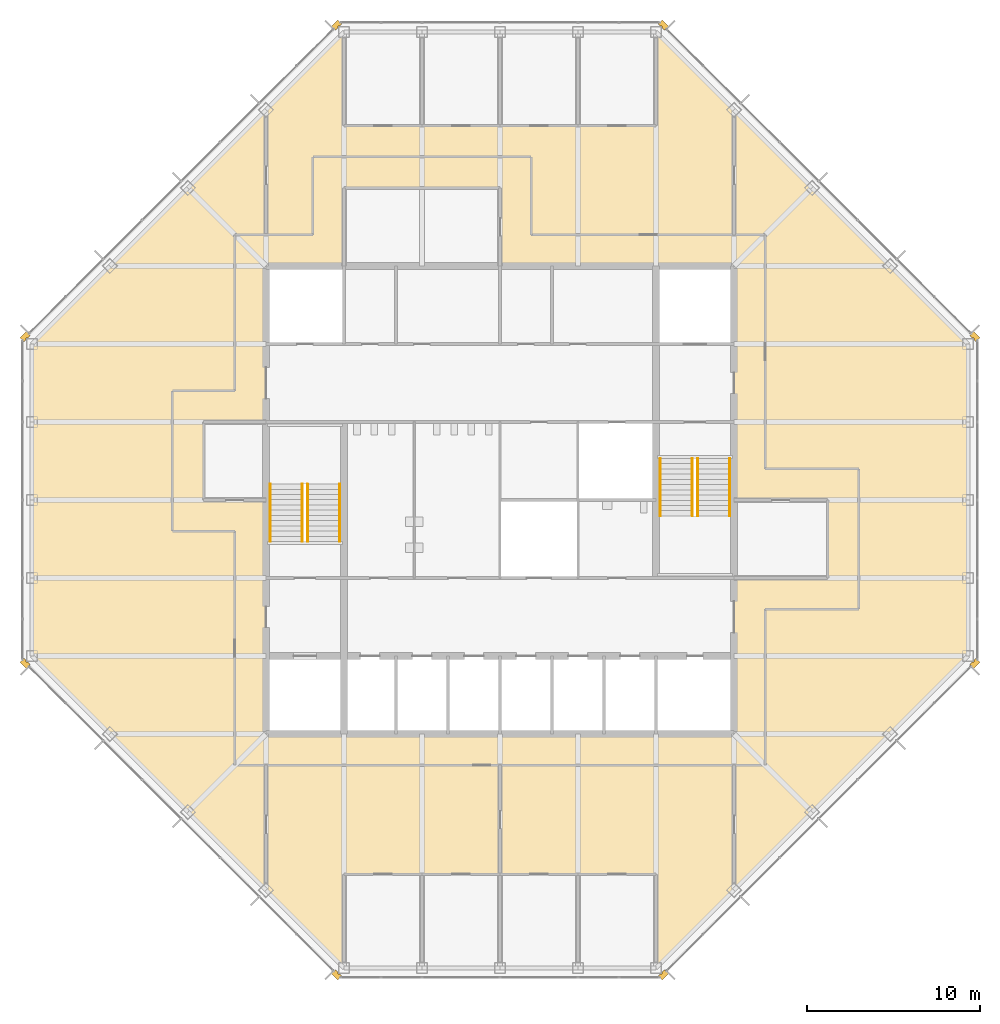
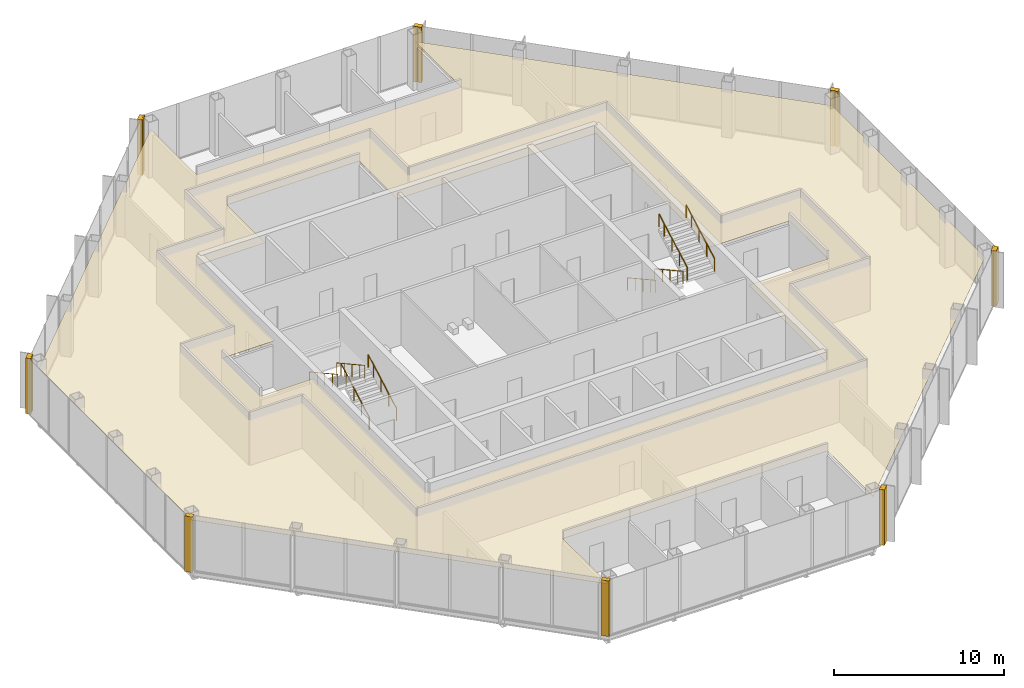
# One storey, part 13 of 14: 9 coverings, 8 railings.
"""IFC4 building model written with IfcOpenShell, lengths in metres."""

from ifc_helpers import new_model, si_unit, direction, frame, origin, origin_2d, place, context, subcontext, project, spatial, polyline, circle, outline, extrude, material, layer, layer_set, type_object, element, save


model = new_model("IFC4")

# Units and contexts
model_context = context("Model", 3, precision=1e-05, world=origin(), true_north=direction((0.0, 1.0)))
body_context = subcontext(model_context, "Body", "Model", "MODEL_VIEW")
ifc_project = project(units=[si_unit("LENGTHUNIT", "METRE"), si_unit("AREAUNIT", "SQUARE_METRE"), si_unit("VOLUMEUNIT", "CUBIC_METRE"), si_unit("PLANEANGLEUNIT", "RADIAN"), si_unit("MASSUNIT", "GRAM", prefix="KILO")], contexts=[model_context])

# Site, building, storey
site_placement = place(None, origin())
site = spatial("IfcSite", under=ifc_project, at=site_placement, CompositionType="ELEMENT")
building_placement = place(site_placement, origin())
building = spatial("IfcBuilding", under=site, at=building_placement, Name="Corais Broadcast Tower", CompositionType="ELEMENT")
storey_placement = place(building_placement, frame((0.0, 0.0, 250.60009765625)))
storey = spatial("IfcBuildingStorey", under=building, at=storey_placement, Name="L58", CompositionType="ELEMENT", Elevation=250.60009765625)

# Railings
ifc_material_1 = material(Name="Stainless steel handrail", Category="steel")
railing_type = type_object("IfcRailingType", Name="Handrail 920", PredefinedType="HANDRAIL", material=ifc_material_1)
for number, where, name in (
    (1, (17.75, 24.60009765625, 0.16650390625), "HR1 L58"),
    (2, (15.89990234375, 24.60009765625, 0.16650390625), "HR1 L58"),
):
    element("IfcRailing", number, at=place(storey_placement, frame(where)), inside=storey, type_object=railing_type, Name=name, PredefinedType="HANDRAIL", context=body_context, shape_type="SweptSolid", body=[
        extrude(circle(Radius=0.02392578125, at=origin_2d()), frame((0.0, 0.0, 0.89599609375), z_axis=(0.0, 0.875504475178, 0.483210010185), x_axis=(-1.0, 0.0, 0.0)), (0.0, 0.0, 1.0), 3.79443359375),
        extrude(circle(Radius=0.02099609375, at=origin_2d()), origin(), (0.0, 0.0, 1.0), 0.871826171875),
        extrude(circle(Radius=0.02099609375, at=origin_2d()), frame((0.0, 0.906005859375, 0.5)), (0.0, 0.0, 1.0), 0.871826171875),
        extrude(circle(Radius=0.02099609375, at=origin_2d()), frame((0.0, 1.81201171875, 1.0)), (0.0, 0.0, 1.0), 0.871826171875),
        extrude(circle(Radius=0.02099609375, at=origin_2d()), frame((0.0, 2.718017578125, 1.500244140625)), (0.0, 0.0, 1.0), 0.871826171875),
        extrude(circle(Radius=0.02099609375, at=origin_2d()), frame((0.0, 3.322021484375, 1.83349609375)), (0.0, 0.0, 1.0), 0.871826171875),
    ])
for number, where, name in (
    (3, (13.75, 27.922119140625, 2.16650390625), "HR1 L58"),
    (4, (15.60009765625, 27.922119140625, 2.16650390625), "HR1 L58"),
    (5, (36.25, 29.39990234375, 0.16650390625), "HR1 L58"),
    (6, (38.10009765625, 29.39990234375, 0.16650390625), "HR1 L58"),
):
    element("IfcRailing", number, at=place(storey_placement, frame(where)), inside=storey, type_object=railing_type, Name=name, PredefinedType="HANDRAIL", context=body_context, shape_type="SweptSolid", body=[
        extrude(circle(Radius=0.02392578125, at=origin_2d()), frame((0.0, 0.0, 0.89599609375), z_axis=(0.0, -0.875504475178, 0.483210010185), x_axis=(1.0, 0.0, 0.0)), (0.0, 0.0, 1.0), 3.79443359375),
        extrude(circle(Radius=0.02099609375, at=origin_2d()), origin(), (0.0, 0.0, 1.0), 0.871826171875),
        extrude(circle(Radius=0.02099609375, at=origin_2d()), frame((0.0, -0.906005859375, 0.5)), (0.0, 0.0, 1.0), 0.871826171875),
        extrude(circle(Radius=0.02099609375, at=origin_2d()), frame((0.0, -1.81201171875, 1.0)), (0.0, 0.0, 1.0), 0.871826171875),
        extrude(circle(Radius=0.02099609375, at=origin_2d()), frame((0.0, -2.718017578125, 1.500244140625)), (0.0, 0.0, 1.0), 0.871826171875),
        extrude(circle(Radius=0.02099609375, at=origin_2d()), frame((0.0, -3.322021484375, 1.83349609375)), (0.0, 0.0, 1.0), 0.871826171875),
    ])
for number, where, name in (
    (7, (40.25, 26.077880859375, 2.16650390625), "HR1 L58"),
    (8, (38.39990234375, 26.077880859375, 2.16650390625), "HR1 L58"),
):
    element("IfcRailing", number, at=place(storey_placement, frame(where)), inside=storey, type_object=railing_type, Name=name, PredefinedType="HANDRAIL", context=body_context, shape_type="SweptSolid", body=[
        extrude(circle(Radius=0.02392578125, at=origin_2d()), frame((0.0, 0.0, 0.89599609375), z_axis=(0.0, 0.875504475178, 0.483210010185), x_axis=(-1.0, 0.0, 0.0)), (0.0, 0.0, 1.0), 3.79443359375),
        extrude(circle(Radius=0.02099609375, at=origin_2d()), origin(), (0.0, 0.0, 1.0), 0.871826171875),
        extrude(circle(Radius=0.02099609375, at=origin_2d()), frame((0.0, 0.906005859375, 0.5)), (0.0, 0.0, 1.0), 0.871826171875),
        extrude(circle(Radius=0.02099609375, at=origin_2d()), frame((0.0, 1.81201171875, 1.0)), (0.0, 0.0, 1.0), 0.871826171875),
        extrude(circle(Radius=0.02099609375, at=origin_2d()), frame((0.0, 2.718017578125, 1.500244140625)), (0.0, 0.0, 1.0), 0.871826171875),
        extrude(circle(Radius=0.02099609375, at=origin_2d()), frame((0.0, 3.322021484375, 1.83349609375)), (0.0, 0.0, 1.0), 0.871826171875),
    ])

# Coverings
ifc_material_2 = material(Name="Granite stone cladding", Category="masonry")
ifc_layer_1 = layer(ifc_material_2, 0.324951171875)
ifc_layer_set_1 = layer_set([ifc_layer_1], Name="Granite stone cladding")
covering_type_1 = type_object("IfcCoveringType", Name="Stone corner pier cladding 500x325", PredefinedType="CLADDING", material=ifc_layer_set_1)
covering_1_placement = place(storey_placement, origin())
element("IfcCovering", 9, at=covering_1_placement, inside=storey, type_object=covering_type_1, Name="SP1 stone corner pier L58", PredefinedType="CLADDING", context=body_context, shape_type="SweptSolid", body=[
    extrude(outline(polyline([(17.860595703125, -0.461669921875), (17.7490234375, -0.35009765625), (17.64990234375, -0.35009765625), (17.64990234375, -0.2509765625), (17.507080078125, -0.108154296875), (17.277099609375, -0.337890625), (17.630859375, -0.69140625), (17.860595703125, -0.461669921875)])), origin(), (0.0, 0.0, 1.0), 4.0),
])
covering_2_placement = place(storey_placement, origin())
element("IfcCovering", 10, at=covering_2_placement, inside=storey, type_object=covering_type_1, Name="SP1 stone corner pier L58", PredefinedType="CLADDING", context=body_context, shape_type="SweptSolid", body=[
    extrude(outline(polyline([(-0.35009765625, 17.7490234375), (-0.461669921875, 17.860595703125), (-0.69140625, 17.630859375), (-0.337890625, 17.277099609375), (-0.108154296875, 17.507080078125), (-0.2509765625, 17.64990234375), (-0.35009765625, 17.64990234375), (-0.35009765625, 17.7490234375)])), origin(), (0.0, 0.0, 1.0), 4.0),
])
covering_3_placement = place(storey_placement, origin())
element("IfcCovering", 11, at=covering_3_placement, inside=storey, type_object=covering_type_1, Name="SP1 stone corner pier L58", PredefinedType="CLADDING", context=body_context, shape_type="SweptSolid", body=[
    extrude(outline(polyline([(-0.461669921875, 36.139404296875), (-0.35009765625, 36.2509765625), (-0.35009765625, 36.35009765625), (-0.2509765625, 36.35009765625), (-0.108154296875, 36.492919921875), (-0.337890625, 36.722900390625), (-0.69140625, 36.369140625), (-0.461669921875, 36.139404296875)])), origin(), (0.0, 0.0, 1.0), 4.0),
])
covering_4_placement = place(storey_placement, origin())
element("IfcCovering", 12, at=covering_4_placement, inside=storey, type_object=covering_type_1, Name="SP1 stone corner pier L58", PredefinedType="CLADDING", context=body_context, shape_type="SweptSolid", body=[
    extrude(outline(polyline([(17.7490234375, 54.35009765625), (17.860595703125, 54.461669921875), (17.630859375, 54.69140625), (17.277099609375, 54.337890625), (17.507080078125, 54.108154296875), (17.64990234375, 54.2509765625), (17.64990234375, 54.35009765625), (17.7490234375, 54.35009765625)])), origin(), (0.0, 0.0, 1.0), 4.0),
])
covering_5_placement = place(storey_placement, origin())
element("IfcCovering", 13, at=covering_5_placement, inside=storey, type_object=covering_type_1, Name="SP1 stone corner pier L58", PredefinedType="CLADDING", context=body_context, shape_type="SweptSolid", body=[
    extrude(outline(polyline([(36.139404296875, 54.461669921875), (36.2509765625, 54.35009765625), (36.35009765625, 54.35009765625), (36.35009765625, 54.2509765625), (36.492919921875, 54.108154296875), (36.722900390625, 54.337890625), (36.369140625, 54.69140625), (36.139404296875, 54.461669921875)])), origin(), (0.0, 0.0, 1.0), 4.0),
])
covering_6_placement = place(storey_placement, origin())
element("IfcCovering", 14, at=covering_6_placement, inside=storey, type_object=covering_type_1, Name="SP1 stone corner pier L58", PredefinedType="CLADDING", context=body_context, shape_type="SweptSolid", body=[
    extrude(outline(polyline([(54.35009765625, 36.2509765625), (54.461669921875, 36.139404296875), (54.69140625, 36.369140625), (54.337890625, 36.722900390625), (54.108154296875, 36.492919921875), (54.2509765625, 36.35009765625), (54.35009765625, 36.35009765625), (54.35009765625, 36.2509765625)])), origin(), (0.0, 0.0, 1.0), 4.0),
])
covering_7_placement = place(storey_placement, origin())
element("IfcCovering", 15, at=covering_7_placement, inside=storey, type_object=covering_type_1, Name="SP1 stone corner pier L58", PredefinedType="CLADDING", context=body_context, shape_type="SweptSolid", body=[
    extrude(outline(polyline([(54.461669921875, 17.860595703125), (54.35009765625, 17.7490234375), (54.35009765625, 17.64990234375), (54.2509765625, 17.64990234375), (54.108154296875, 17.507080078125), (54.337890625, 17.277099609375), (54.69140625, 17.630859375), (54.461669921875, 17.860595703125)])), origin(), (0.0, 0.0, 1.0), 4.0),
])
covering_8_placement = place(storey_placement, origin())
element("IfcCovering", 16, at=covering_8_placement, inside=storey, type_object=covering_type_1, Name="SP1 stone corner pier L58", PredefinedType="CLADDING", context=body_context, shape_type="SweptSolid", body=[
    extrude(outline(polyline([(36.2509765625, -0.35009765625), (36.139404296875, -0.461669921875), (36.369140625, -0.69140625), (36.722900390625, -0.337890625), (36.492919921875, -0.108154296875), (36.35009765625, -0.2509765625), (36.35009765625, -0.35009765625), (36.2509765625, -0.35009765625)])), origin(), (0.0, 0.0, 1.0), 4.0),
])
ifc_material_3 = material(Name="Mineral fibre ceiling tile", Category="mineral")
ifc_layer_2 = layer(ifc_material_3, 0.02001953125)
ifc_layer_set_2 = layer_set([ifc_layer_2], Name="Mineral fibre ceiling tile")
covering_type_2 = type_object("IfcCoveringType", Name="Suspended ceiling", PredefinedType="CEILING", material=ifc_layer_set_2)
covering_9_placement = place(storey_placement, frame((0.0, 0.0, 3.219970703125)))
element("IfcCovering", 17, at=covering_9_placement, inside=storey, type_object=covering_type_2, Name="CE1 ceiling L58", PredefinedType="CEILING", context=body_context, shape_type="SweptSolid", body=[
    extrude(outline(polyline([(13.5, 49.5), (18.0, 54.0), (18.0, 48.60009765625), (36.0, 48.60009765625), (36.0, 54.0), (54.0, 36.0), (54.0, 18.0), (40.500244140625, 4.500244140625), (40.498779296875, 4.498779296875), (40.498291015625, 4.498291015625), (36.0, 0.0), (36.0, 5.39990234375), (18.0, 5.39990234375), (18.0, 0.0), (13.501708984375, 4.498291015625), (13.499755859375, 4.500244140625), (0.0, 18.0), (0.0, 36.0), (13.5, 49.5)]), holes=[polyline([(18.0, 45.0), (18.0, 40.5), (13.5, 40.5), (13.5, 31.5), (9.89990234375, 31.5), (9.89990234375, 27.0), (13.5, 27.0), (13.5, 13.5), (40.5, 13.5), (40.5, 22.5), (45.89990234375, 22.5), (45.89990234375, 27.0), (40.5, 27.0), (40.5, 40.5), (27.0, 40.5), (27.0, 45.0), (18.0, 45.0)])]), origin(), (0.0, 0.0, 1.0), 0.02001953125),
])

save(model, "model.ifc")
